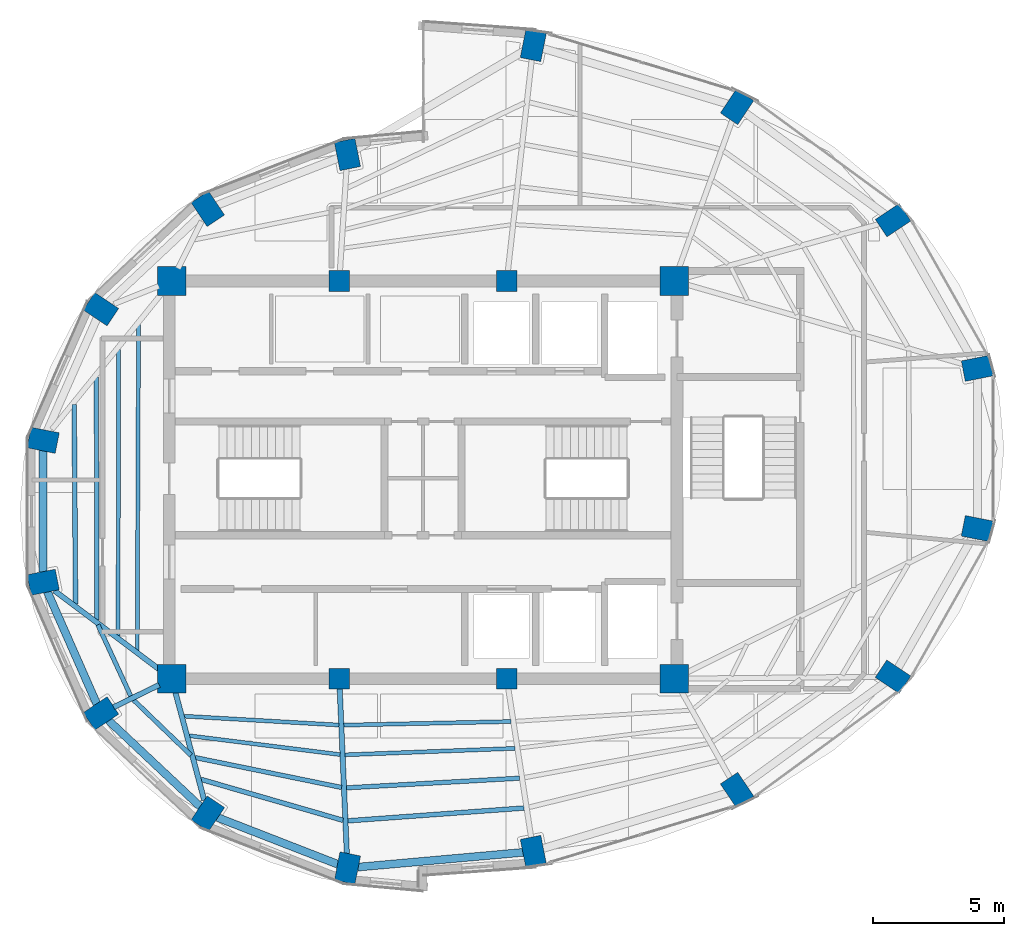
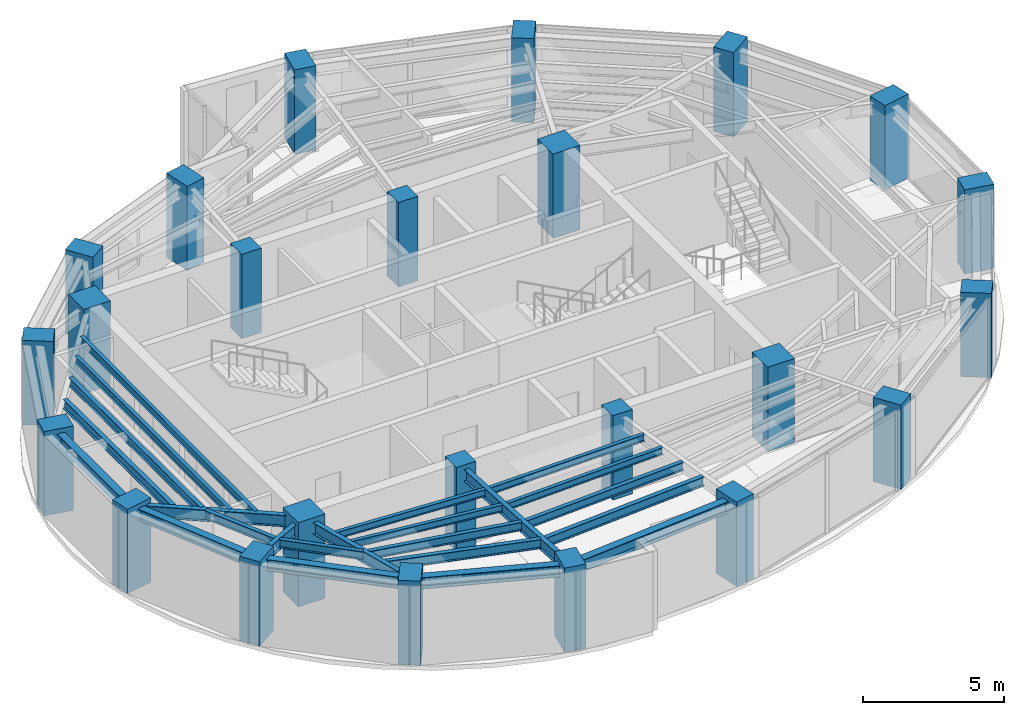
# One storey, part 1 of 15: 24 columns, 23 beams.
"""IFC4 building model written with IfcOpenShell, lengths in metres."""

from ifc_helpers import new_model, si_unit, direction, frame, origin, origin_2d, place, context, subcontext, project, spatial, rectangle, i_section, extrude, material, material_profile, profile_set, type_object, element, save


model = new_model("IFC4")

# Units and contexts
model_context = context("Model", 3, precision=1e-05, world=origin(), true_north=direction((0.0, 1.0)))
body_context = subcontext(model_context, "Body", "Model", "MODEL_VIEW")
ifc_project = project(units=[si_unit("LENGTHUNIT", "METRE"), si_unit("AREAUNIT", "SQUARE_METRE"), si_unit("VOLUMEUNIT", "CUBIC_METRE"), si_unit("PLANEANGLEUNIT", "RADIAN"), si_unit("MASSUNIT", "GRAM", prefix="KILO")], contexts=[model_context])

# Site, building, storey
site_placement = place(None, origin())
site = spatial("IfcSite", under=ifc_project, at=site_placement, CompositionType="ELEMENT")
building_placement = place(site_placement, origin())
building = spatial("IfcBuilding", under=site, at=building_placement, Name="Lazwardi Medical Tower", CompositionType="ELEMENT")
storey_placement = place(building_placement, frame((0.0, 0.0, 284.2080078125)))
storey = spatial("IfcBuildingStorey", under=building, at=storey_placement, Name="L74", CompositionType="ELEMENT", Elevation=284.2080078125)

# Columns
ifc_material_1 = material(Name="Concrete C80/95", Category="concrete")
ifc_material_profile_1 = material_profile(ifc_material_1, rectangle(XDim=1.10009765625, YDim=1.10009765625, at=origin_2d()), Name="RC 1100x1100")
ifc_profile_set_1 = profile_set([ifc_material_profile_1], Name="Concrete C80/95")
column_type_1 = type_object("IfcColumnType", Name="COL-CC-L", PredefinedType="COLUMN", material=ifc_profile_set_1)
for number, where, z_axis, x_axis, name in (
    (1, (26.39990234375, 20.39990234375, 0.0), (0.0, 0.0, 1.0), (1.0, 0.0, 0.0), "Core column CC-01 CC1 L74"),
    (2, (45.60009765625, 20.39990234375, 0.0), (0.0, 0.0, 1.0), (1.0, 0.0, 0.0), "Core column CC-01 CC4 L74"),
    (3, (45.60009765625, 35.60009765625, 0.0), (0.0, 0.0, 1.0), (1.0, 0.0, 0.0), "Core column CC-01 CC5 L74"),
    (4, (26.39990234375, 35.60009765625, 0.0), (0.0, 0.0, 1.0), (1.0, 0.0, 0.0), "Core column CC-01 CC8 L74"),
):
    element("IfcColumn", number, at=place(storey_placement, frame(where, z_axis=z_axis, x_axis=x_axis)), inside=storey, type_object=column_type_1, Name=name, PredefinedType="COLUMN", context=body_context, shape_type="SweptSolid", body=[
        extrude(rectangle(XDim=1.10009765625, YDim=1.10009765625, at=origin_2d()), origin(), (0.0, 0.0, 1.0), 3.64794921875),
    ])
ifc_material_2 = material(Name="Concrete C60/75", Category="concrete")
ifc_material_profile_2 = material_profile(ifc_material_2, rectangle(XDim=0.800048828125, YDim=0.800048828125, at=origin_2d()), Name="RC 800x800")
ifc_profile_set_2 = profile_set([ifc_material_profile_2], Name="Concrete C60/75")
column_type_2 = type_object("IfcColumnType", Name="COL-CC-U", PredefinedType="COLUMN", material=ifc_profile_set_2)
for number, where, z_axis, x_axis, name in (
    (5, (32.800048828125, 20.39990234375, 0.0), (0.0, 0.0, 1.0), (1.0, 0.0, 0.0), "Core column CC-03 CC2 L74"),
    (6, (39.199951171875, 20.39990234375, 0.0), (0.0, 0.0, 1.0), (1.0, 0.0, 0.0), "Core column CC-03 CC3 L74"),
    (7, (39.199951171875, 35.60009765625, 0.0), (0.0, 0.0, 1.0), (1.0, 0.0, 0.0), "Core column CC-03 CC6 L74"),
    (8, (32.800048828125, 35.60009765625, 0.0), (0.0, 0.0, 1.0), (1.0, 0.0, 0.0), "Core column CC-03 CC7 L74"),
):
    element("IfcColumn", number, at=place(storey_placement, frame(where, z_axis=z_axis, x_axis=x_axis)), inside=storey, type_object=column_type_2, Name=name, PredefinedType="COLUMN", context=body_context, shape_type="SweptSolid", body=[
        extrude(rectangle(XDim=0.800048828125, YDim=0.800048828125, at=origin_2d()), origin(), (0.0, 0.0, 1.0), 3.64794921875),
    ])
ifc_material_profile_3 = material_profile(ifc_material_2, rectangle(XDim=1.10009765625, YDim=0.800048828125, at=origin_2d()), Name="CFT-RECT 1100x800")
ifc_profile_set_3 = profile_set([ifc_material_profile_3], Name="Concrete C60/75")
column_type_3 = type_object("IfcColumnType", Name="COL-MC-Z4", PredefinedType="COLUMN", material=ifc_profile_set_3)
for number, where, z_axis, x_axis, name in (
    (9, (40.214111328125, 13.8017578125, 0.0), (0.0, 0.0, 1.0), (0.195090322016, -0.980785280403, 0.0), "Mega column MC-06 M01 L74"),
    (10, (48.000244140625, 16.14599609375, 0.0), (0.0, 0.0, 1.0), (0.55557023302, -0.831469612303, 0.0), "Mega column MC-06 M02 L74"),
    (11, (53.959716796875, 20.4775390625, 0.0), (0.0, 0.0, 1.0), (0.831469612303, -0.55557023302, 0.0), "Mega column MC-06 M03 L74"),
    (12, (57.18505859375, 26.13720703125, 0.0), (0.0, 0.0, 1.0), (0.980785280403, -0.195090322016, 0.0), "Mega column MC-06 M04 L74"),
    (13, (57.18505859375, 32.262939453125, 0.0), (0.0, 0.0, 1.0), (0.980785280403, 0.195090322016, 0.0), "Mega column MC-06 M05 L74"),
    (14, (53.959716796875, 37.922607421875, 0.0), (0.0, 0.0, 1.0), (0.831469612303, 0.55557023302, 0.0), "Mega column MC-06 M06 L74"),
    (15, (48.000244140625, 42.254150390625, 0.0), (0.0, 0.0, 1.0), (0.55557023302, 0.831469612303, 0.0), "Mega column MC-06 M07 L74"),
    (16, (40.214111328125, 44.598388671875, 0.0), (0.0, 0.0, 1.0), (0.195090322016, 0.980785280403, 0.0), "Mega column MC-06 M08 L74"),
    (17, (33.11279296875, 40.432861328125, 0.0), (0.0, 0.0, 1.0), (-0.195090322016, 0.980785280403, 0.0), "Mega column MC-06 M09 L74"),
    (18, (27.777587890625, 38.357421875, 0.0), (0.0, 0.0, 1.0), (-0.55557023302, 0.831469612303, 0.0), "Mega column MC-06 M10 L74"),
    (19, (23.694091796875, 34.5224609375, 0.0), (0.0, 0.0, 1.0), (-0.831469612303, 0.55557023302, 0.0), "Mega column MC-06 M11 L74"),
    (20, (21.484375, 29.51171875, 0.0), (0.0, 0.0, 1.0), (-0.980785280403, 0.195090322016, 0.0), "Mega column MC-06 M12 L74"),
    (21, (21.484375, 24.088134765625, 0.0), (0.0, 0.0, 1.0), (-0.980785280403, -0.195090322016, 0.0), "Mega column MC-06 M13 L74"),
    (22, (23.694091796875, 19.07763671875, 0.0), (0.0, 0.0, 1.0), (-0.831469612303, -0.55557023302, 0.0), "Mega column MC-06 M14 L74"),
    (23, (27.777587890625, 15.24267578125, 0.0), (0.0, 0.0, 1.0), (-0.55557023302, -0.831469612303, 0.0), "Mega column MC-06 M15 L74"),
    (24, (33.11279296875, 13.1669921875, 0.0), (0.0, 0.0, 1.0), (-0.195090322016, -0.980785280403, 0.0), "Mega column MC-06 M16 L74"),
):
    element("IfcColumn", number, at=place(storey_placement, frame(where, z_axis=z_axis, x_axis=x_axis)), inside=storey, type_object=column_type_3, Name=name, PredefinedType="COLUMN", context=body_context, shape_type="SweptSolid", body=[
        extrude(rectangle(XDim=1.10009765625, YDim=0.800048828125, at=origin_2d()), origin(), (0.0, 0.0, 1.0), 3.64794921875),
    ])

# Beams
ifc_material_3 = material(Name="Steel S355", Category="steel")
ifc_material_profile_4 = material_profile(ifc_material_3, i_section(OverallWidth=0.300048828125, OverallDepth=0.5, WebThickness=0.014404296875, FlangeThickness=0.028076171875, at=origin_2d()), Name="HEB 500")
ifc_profile_set_4 = profile_set([ifc_material_profile_4], Name="Steel S355")
beam_type_1 = type_object("IfcBeamType", Name="BM-RB-Z4", PredefinedType="BEAM", material=ifc_profile_set_4)
beam_1_placement = place(storey_placement, frame((21.484375, 29.121826171875, 3.197998046875), z_axis=(0.0, -1.0, 0.0), x_axis=(1.0, 0.0, 0.0)))
element("IfcBeam", 25, at=beam_1_placement, inside=storey, type_object=beam_type_1, Name="Ring beam RB-05 B12 L74", PredefinedType="BEAM", context=body_context, shape_type="SweptSolid", body=[
    extrude(i_section(OverallWidth=0.300048828125, OverallDepth=0.5, WebThickness=0.014404296875, FlangeThickness=0.028076171875, at=origin_2d()), origin(), (0.0, 0.0, 1.0), 4.6435546875),
])
beam_2_placement = place(storey_placement, frame((21.641845703125, 23.7314453125, 3.197998046875), z_axis=(0.403503258239, -0.914978207713, 0.0), x_axis=(0.914978207713, 0.403503258239, 0.0)))
element("IfcBeam", 26, at=beam_2_placement, inside=storey, type_object=beam_type_1, Name="Ring beam RB-05 B13 L74", PredefinedType="BEAM", context=body_context, shape_type="SweptSolid", body=[
    extrude(i_section(OverallWidth=0.300048828125, OverallDepth=0.5, WebThickness=0.014404296875, FlangeThickness=0.028076171875, at=origin_2d()), origin(), (0.0, 0.0, 1.0), 4.696533203125),
])
beam_3_placement = place(storey_placement, frame((23.978515625, 18.810546875, 3.197998046875), z_axis=(0.728935349177, -0.684582541934, 0.0), x_axis=(0.684582541934, 0.728935349177, 0.0)))
element("IfcBeam", 27, at=beam_3_placement, inside=storey, type_object=beam_type_1, Name="Ring beam RB-05 B14 L74", PredefinedType="BEAM", context=body_context, shape_type="SweptSolid", body=[
    extrude(i_section(OverallWidth=0.300048828125, OverallDepth=0.5, WebThickness=0.014404296875, FlangeThickness=0.028076171875, at=origin_2d()), origin(), (0.0, 0.0, 1.0), 4.822021484375),
])
beam_4_placement = place(storey_placement, frame((28.14111328125, 15.101318359375, 3.197998046875), z_axis=(0.931959260109, -0.362563011761, 0.0), x_axis=(0.362563011761, 0.931959260109, 0.0)))
element("IfcBeam", 28, at=beam_4_placement, inside=storey, type_object=beam_type_1, Name="Ring beam RB-05 B15 L74", PredefinedType="BEAM", context=body_context, shape_type="SweptSolid", body=[
    extrude(i_section(OverallWidth=0.300048828125, OverallDepth=0.5, WebThickness=0.014404296875, FlangeThickness=0.028076171875, at=origin_2d()), origin(), (0.0, 0.0, 1.0), 4.944580078125),
])
beam_5_placement = place(storey_placement, frame((33.501220703125, 13.201904296875, 3.197998046875), z_axis=(0.996030403479, 0.089013680669, 0.0), x_axis=(-0.089013680669, 0.996030403479, 0.0)))
element("IfcBeam", 29, at=beam_5_placement, inside=storey, type_object=beam_type_1, Name="Ring beam RB-05 B16 L74", PredefinedType="BEAM", context=body_context, shape_type="SweptSolid", body=[
    extrude(i_section(OverallWidth=0.300048828125, OverallDepth=0.5, WebThickness=0.014404296875, FlangeThickness=0.028076171875, at=origin_2d()), origin(), (0.0, 0.0, 1.0), 6.349365234375),
])
ifc_material_profile_5 = material_profile(ifc_material_3, i_section(OverallWidth=0.199951171875, OverallDepth=0.5, WebThickness=0.01025390625, FlangeThickness=0.01611328125, at=origin_2d()), Name="IPE 500")
ifc_profile_set_5 = profile_set([ifc_material_profile_5], Name="Steel S355")
beam_type_2 = type_object("IfcBeamType", Name="BM-RG-W3", PredefinedType="BEAM", material=ifc_profile_set_5)
beam_6_placement = place(storey_placement, frame((21.912353515625, 23.76708984375, 3.197998046875), z_axis=(0.79990185954, -0.600130831657, 0.0), x_axis=(0.600130831657, 0.79990185954, 0.0)))
element("IfcBeam", 30, at=beam_6_placement, inside=storey, type_object=beam_type_2, Name="Radial girder RG-04 R13 L74", PredefinedType="BEAM", context=body_context, shape_type="SweptSolid", body=[
    extrude(i_section(OverallWidth=0.199951171875, OverallDepth=0.5, WebThickness=0.01025390625, FlangeThickness=0.01611328125, at=origin_2d()), origin(), (0.0, 0.0, 1.0), 5.075439453125),
])
beam_7_placement = place(storey_placement, frame((24.1748046875, 19.3125, 3.197998046875), z_axis=(0.898439482653, 0.43909736507, 0.0), x_axis=(-0.43909736507, 0.898439482653, 0.0)))
element("IfcBeam", 31, at=beam_7_placement, inside=storey, type_object=beam_type_2, Name="Radial girder RG-04 R14 L74", PredefinedType="BEAM", context=body_context, shape_type="SweptSolid", body=[
    extrude(i_section(OverallWidth=0.199951171875, OverallDepth=0.5, WebThickness=0.01025390625, FlangeThickness=0.01611328125, at=origin_2d()), origin(), (0.0, 0.0, 1.0), 1.941650390625),
])
beam_8_placement = place(storey_placement, frame((27.639404296875, 15.759521484375, 3.197998046875), z_axis=(-0.25803645922, 0.966135179834, 0.0), x_axis=(-0.966135179834, -0.25803645922, 0.0)))
element("IfcBeam", 32, at=beam_8_placement, inside=storey, type_object=beam_type_2, Name="Radial girder RG-04 R15 L74", PredefinedType="BEAM", context=body_context, shape_type="SweptSolid", body=[
    extrude(i_section(OverallWidth=0.199951171875, OverallDepth=0.5, WebThickness=0.01025390625, FlangeThickness=0.01611328125, at=origin_2d()), origin(), (0.0, 0.0, 1.0), 4.26806640625),
])
beam_9_placement = place(storey_placement, frame((33.089599609375, 13.70166015625, 3.197998046875), z_axis=(-0.043190778794, 0.999066842923, 0.0), x_axis=(-0.999066842923, -0.043190778794, 0.0)))
element("IfcBeam", 33, at=beam_9_placement, inside=storey, type_object=beam_type_2, Name="Radial girder RG-04 R16 L74", PredefinedType="BEAM", context=body_context, shape_type="SweptSolid", body=[
    extrude(i_section(OverallWidth=0.199951171875, OverallDepth=0.5, WebThickness=0.01025390625, FlangeThickness=0.01611328125, at=origin_2d()), origin(), (0.0, 0.0, 1.0), 6.319580078125),
])
ifc_material_profile_6 = material_profile(ifc_material_3, i_section(OverallWidth=0.179931640625, OverallDepth=0.39990234375, WebThickness=0.008544921875, FlangeThickness=0.013427734375, at=origin_2d()), Name="IPE 400")
ifc_profile_set_6 = profile_set([ifc_material_profile_6], Name="Steel S355")
beam_type_3 = type_object("IfcBeamType", Name="BM-SJ-01", PredefinedType="JOIST", material=ifc_profile_set_6)
beam_10_placement = place(storey_placement, frame((22.669921875, 30.88427734375, 3.248046875), z_axis=(0.007038023905, -0.999975232803, 0.0), x_axis=(0.999975232803, 0.007038023905, 0.0)))
element("IfcBeam", 34, at=beam_10_placement, inside=storey, type_object=beam_type_3, Name="Secondary joist SJ-01 R1 B12 L74", PredefinedType="JOIST", context=body_context, shape_type="SweptSolid", body=[
    extrude(i_section(OverallWidth=0.179931640625, OverallDepth=0.39990234375, WebThickness=0.008544921875, FlangeThickness=0.013427734375, at=origin_2d()), origin(), (0.0, 0.0, 1.0), 7.631591796875),
])
beam_11_placement = place(storey_placement, frame((27.510498046875, 16.557861328125, 3.248046875), z_axis=(0.960828455467, -0.277143787887, 0.0), x_axis=(0.277143787887, 0.960828455467, 0.0)))
element("IfcBeam", 35, at=beam_11_placement, inside=storey, type_object=beam_type_3, Name="Secondary joist SJ-01 R1 B15 L74", PredefinedType="JOIST", context=body_context, shape_type="SweptSolid", body=[
    extrude(i_section(OverallWidth=0.179931640625, OverallDepth=0.39990234375, WebThickness=0.008544921875, FlangeThickness=0.013427734375, at=origin_2d()), origin(), (0.0, 0.0, 1.0), 5.654541015625),
])
beam_12_placement = place(storey_placement, frame((33.129638671875, 14.97119140625, 3.248046875), z_axis=(0.997360105889, 0.072614180298, 0.0), x_axis=(-0.072614180298, 0.997360105889, 0.0)))
element("IfcBeam", 36, at=beam_12_placement, inside=storey, type_object=beam_type_3, Name="Secondary joist SJ-01 R1 B16 L74", PredefinedType="JOIST", context=body_context, shape_type="SweptSolid", body=[
    extrude(i_section(OverallWidth=0.179931640625, OverallDepth=0.39990234375, WebThickness=0.008544921875, FlangeThickness=0.013427734375, at=origin_2d()), origin(), (0.0, 0.0, 1.0), 6.751220703125),
])
ifc_material_profile_7 = material_profile(ifc_material_3, i_section(OverallWidth=0.169921875, OverallDepth=0.360107421875, WebThickness=0.008056640625, FlangeThickness=0.0126953125, at=origin_2d()), Name="IPE 360")
ifc_profile_set_7 = profile_set([ifc_material_profile_7], Name="Steel S355")
beam_type_4 = type_object("IfcBeamType", Name="BM-SJ-02", PredefinedType="JOIST", material=ifc_profile_set_7)
beam_13_placement = place(storey_placement, frame((23.51806640625, 31.935302734375, 3.26806640625), z_axis=(0.001918121439, -0.999998160403, 0.0), x_axis=(0.999998160403, 0.001918121439, 0.0)))
element("IfcBeam", 37, at=beam_13_placement, inside=storey, type_object=beam_type_4, Name="Secondary joist SJ-02 R2 B12 L74", PredefinedType="JOIST", context=body_context, shape_type="SweptSolid", body=[
    extrude(i_section(OverallWidth=0.169921875, OverallDepth=0.360107421875, WebThickness=0.008056640625, FlangeThickness=0.0126953125, at=origin_2d()), origin(), (0.0, 0.0, 1.0), 9.29150390625),
])
beam_14_placement = place(storey_placement, frame((23.575927734375, 22.46240234375, 3.26806640625), z_axis=(0.419120130681, -0.907930788143, 0.0), x_axis=(0.907930788143, 0.419120130681, 0.0)))
element("IfcBeam", 38, at=beam_14_placement, inside=storey, type_object=beam_type_4, Name="Secondary joist SJ-02 R2 B13 L74", PredefinedType="JOIST", context=body_context, shape_type="SweptSolid", body=[
    extrude(i_section(OverallWidth=0.169921875, OverallDepth=0.360107421875, WebThickness=0.008056640625, FlangeThickness=0.0126953125, at=origin_2d()), origin(), (0.0, 0.0, 1.0), 2.998779296875),
])
beam_15_placement = place(storey_placement, frame((24.94091796875, 19.587646484375, 3.26806640625), z_axis=(0.719630919159, -0.694356781626, 0.0), x_axis=(0.694356781626, 0.719630919159, 0.0)))
element("IfcBeam", 39, at=beam_15_placement, inside=storey, type_object=beam_type_4, Name="Secondary joist SJ-02 R2 B14 L74", PredefinedType="JOIST", context=body_context, shape_type="SweptSolid", body=[
    extrude(i_section(OverallWidth=0.169921875, OverallDepth=0.360107421875, WebThickness=0.008056640625, FlangeThickness=0.0126953125, at=origin_2d()), origin(), (0.0, 0.0, 1.0), 3.042724609375),
])
beam_16_placement = place(storey_placement, frame((27.2919921875, 17.389892578125, 3.26806640625), z_axis=(0.979738197465, -0.200282461608, 0.0), x_axis=(0.200282461608, 0.979738197465, 0.0)))
element("IfcBeam", 40, at=beam_16_placement, inside=storey, type_object=beam_type_4, Name="Secondary joist SJ-02 R2 B15 L74", PredefinedType="JOIST", context=body_context, shape_type="SweptSolid", body=[
    extrude(i_section(OverallWidth=0.169921875, OverallDepth=0.360107421875, WebThickness=0.008056640625, FlangeThickness=0.0126953125, at=origin_2d()), origin(), (0.0, 0.0, 1.0), 5.7109375),
])
beam_17_placement = place(storey_placement, frame((33.0751953125, 16.232421875, 3.26806640625), z_axis=(0.998451835098, 0.055623133576, 0.0), x_axis=(-0.055623133576, 0.998451835098, 0.0)))
element("IfcBeam", 41, at=beam_17_placement, inside=storey, type_object=beam_type_4, Name="Secondary joist SJ-02 R2 B16 L74", PredefinedType="JOIST", context=body_context, shape_type="SweptSolid", body=[
    extrude(i_section(OverallWidth=0.169921875, OverallDepth=0.360107421875, WebThickness=0.008056640625, FlangeThickness=0.0126953125, at=origin_2d()), origin(), (0.0, 0.0, 1.0), 6.623291015625),
])
ifc_material_profile_8 = material_profile(ifc_material_3, i_section(OverallWidth=0.14990234375, OverallDepth=0.300048828125, WebThickness=0.007080078125, FlangeThickness=0.0107421875, at=origin_2d()), Name="IPE 300")
ifc_profile_set_8 = profile_set([ifc_material_profile_8], Name="Steel S355")
beam_type_5 = type_object("IfcBeamType", Name="BM-SJ-03", PredefinedType="JOIST", material=ifc_profile_set_8)
beam_18_placement = place(storey_placement, frame((24.366455078125, 32.986572265625, 3.298095703125), z_axis=(-0.001649574216, -0.999998639452, 0.0), x_axis=(0.999998639452, -0.001649574216, 0.0)))
element("IfcBeam", 42, at=beam_18_placement, inside=storey, type_object=beam_type_5, Name="Secondary joist SJ-03 R3 B12 L74", PredefinedType="JOIST", context=body_context, shape_type="SweptSolid", body=[
    extrude(i_section(OverallWidth=0.14990234375, OverallDepth=0.300048828125, WebThickness=0.007080078125, FlangeThickness=0.0107421875, at=origin_2d()), origin(), (0.0, 0.0, 1.0), 10.9521484375),
])
beam_19_placement = place(storey_placement, frame((27.072998046875, 18.221923828125, 3.298095703125), z_axis=(0.992269460733, -0.124102043887, 0.0), x_axis=(0.124102043887, 0.992269460733, 0.0)))
element("IfcBeam", 43, at=beam_19_placement, inside=storey, type_object=beam_type_5, Name="Secondary joist SJ-03 R3 B15 L74", PredefinedType="JOIST", context=body_context, shape_type="SweptSolid", body=[
    extrude(i_section(OverallWidth=0.14990234375, OverallDepth=0.300048828125, WebThickness=0.007080078125, FlangeThickness=0.0107421875, at=origin_2d()), origin(), (0.0, 0.0, 1.0), 5.803466796875),
])
beam_20_placement = place(storey_placement, frame((33.020751953125, 17.493408203125, 3.298095703125), z_axis=(0.999278116384, 0.037990079181, 0.0), x_axis=(-0.037990079181, 0.999278116384, 0.0)))
element("IfcBeam", 44, at=beam_20_placement, inside=storey, type_object=beam_type_5, Name="Secondary joist SJ-03 R3 B16 L74", PredefinedType="JOIST", context=body_context, shape_type="SweptSolid", body=[
    extrude(i_section(OverallWidth=0.14990234375, OverallDepth=0.300048828125, WebThickness=0.007080078125, FlangeThickness=0.0107421875, at=origin_2d()), origin(), (0.0, 0.0, 1.0), 6.4970703125),
])
beam_21_placement = place(storey_placement, frame((25.1298828125, 33.9326171875, 3.298095703125), z_axis=(-0.004060302734, -0.999991756937, 0.0), x_axis=(0.999991756937, -0.004060302734, 0.0)))
element("IfcBeam", 45, at=beam_21_placement, inside=storey, type_object=beam_type_5, Name="Secondary joist SJ-03 R4 B12 L74", PredefinedType="JOIST", context=body_context, shape_type="SweptSolid", body=[
    extrude(i_section(OverallWidth=0.14990234375, OverallDepth=0.300048828125, WebThickness=0.007080078125, FlangeThickness=0.0107421875, at=origin_2d()), origin(), (0.0, 0.0, 1.0), 12.446533203125),
])
beam_22_placement = place(storey_placement, frame((26.875244140625, 18.970458984375, 3.298095703125), z_axis=(0.998360639354, -0.057236647244, 0.0), x_axis=(0.057236647244, 0.998360639354, 0.0)))
element("IfcBeam", 46, at=beam_22_placement, inside=storey, type_object=beam_type_5, Name="Secondary joist SJ-03 R4 B15 L74", PredefinedType="JOIST", context=body_context, shape_type="SweptSolid", body=[
    extrude(i_section(OverallWidth=0.14990234375, OverallDepth=0.300048828125, WebThickness=0.007080078125, FlangeThickness=0.0107421875, at=origin_2d()), origin(), (0.0, 0.0, 1.0), 5.916259765625),
])
beam_23_placement = place(storey_placement, frame((32.9716796875, 18.62841796875, 3.298095703125), z_axis=(0.999768300197, 0.021525471452, 0.0), x_axis=(-0.021525471452, 0.999768300197, 0.0)))
element("IfcBeam", 47, at=beam_23_placement, inside=storey, type_object=beam_type_5, Name="Secondary joist SJ-03 R4 B16 L74", PredefinedType="JOIST", context=body_context, shape_type="SweptSolid", body=[
    extrude(i_section(OverallWidth=0.14990234375, OverallDepth=0.300048828125, WebThickness=0.007080078125, FlangeThickness=0.0107421875, at=origin_2d()), origin(), (0.0, 0.0, 1.0), 6.385498046875),
])

save(model, "model.ifc")
